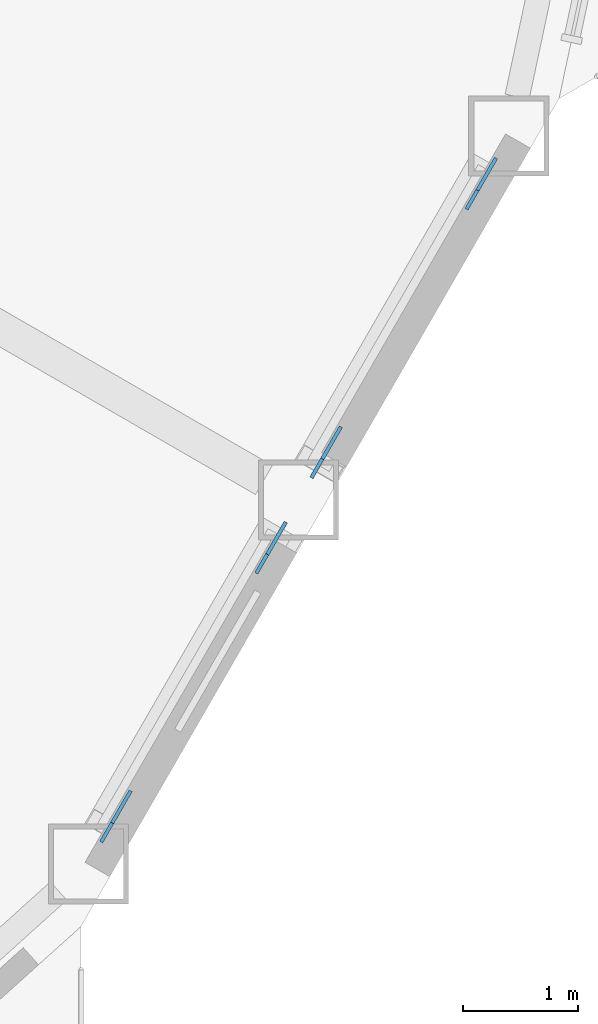
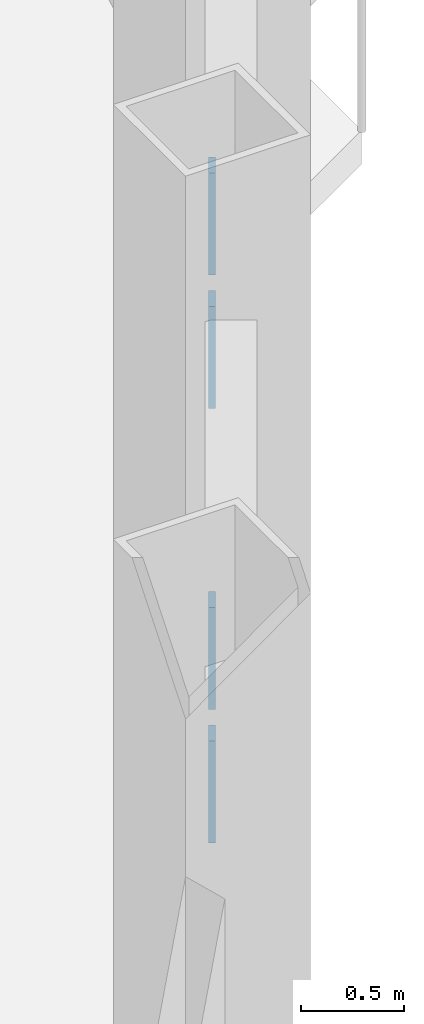
# One storey, part 17 of 23: 4 discrete accessories.
"""IFC4 building model written with IfcOpenShell, lengths in metres."""

from ifc_helpers import new_model, si_unit, direction, frame, origin, origin_2d, place, context, subcontext, project, spatial, rectangle, extrude, material, material_profile, profile_set, type_object, element, save


model = new_model("IFC4")

# Units and contexts
model_context = context("Model", 3, precision=1e-05, world=origin(), true_north=direction((0.0, 1.0)))
body_context = subcontext(model_context, "Body", "Model", "MODEL_VIEW")
ifc_project = project(units=[si_unit("LENGTHUNIT", "METRE"), si_unit("AREAUNIT", "SQUARE_METRE"), si_unit("VOLUMEUNIT", "CUBIC_METRE"), si_unit("PLANEANGLEUNIT", "RADIAN"), si_unit("MASSUNIT", "GRAM", prefix="KILO")], contexts=[model_context])

# Site, building, storey
site_placement = place(None, origin())
site = spatial("IfcSite", under=ifc_project, at=site_placement, CompositionType="ELEMENT")
building_placement = place(site_placement, origin())
building = spatial("IfcBuilding", under=site, at=building_placement, Name="Cormorant Prow Tower", CompositionType="ELEMENT")
storey_placement = place(building_placement, frame((0.0, 0.0, 249.0)))
storey = spatial("IfcBuildingStorey", under=building, at=storey_placement, Name="L55", CompositionType="ELEMENT", Elevation=249.0)

# Discrete accessories
ifc_material = material(Name="Structural steel ASTM A500 Gr C", Category="steel")
ifc_material_profile = material_profile(ifc_material, rectangle(XDim=0.031982421875, YDim=0.506103515625, at=origin_2d()), Name="Gusset plate 32x506")
ifc_profile_set = profile_set([ifc_material_profile], Name="Structural steel ASTM A500 Gr C")
discrete_accessory_type = type_object("IfcDiscreteAccessoryType", Name="Gusset plate 32x506", PredefinedType="BRACKET", material=ifc_profile_set)
discrete_accessory_1_placement = place(storey_placement, frame((27.454833984375, -16.59375, 0.863037109375), z_axis=(0.462538490196, 0.801593854051, -0.378821116405), x_axis=(-0.866147934042, 0.499787711288, 0.0)))
element("IfcDiscreteAccessory", 1, at=discrete_accessory_1_placement, inside=storey, type_object=discrete_accessory_type, Name="Gusset plate GP2 L55.ESE00.g0", PredefinedType="BRACKET", context=body_context, shape_type="SweptSolid", body=[
    extrude(rectangle(XDim=0.031982421875, YDim=0.506103515625, at=origin_2d()), origin(), (0.0, 0.0, 1.0), 0.349853515625),
])
discrete_accessory_2_placement = place(storey_placement, frame((26.262939453125, -18.658203125, 1.837890625), z_axis=(-0.462949952395, -0.801795851286, 0.37788987078), x_axis=(0.866010015463, -0.500026652407, 0.0)))
element("IfcDiscreteAccessory", 2, at=discrete_accessory_2_placement, inside=storey, type_object=discrete_accessory_type, Name="Gusset plate GP2 L55.ESE00.g1", PredefinedType="BRACKET", context=body_context, shape_type="SweptSolid", body=[
    extrude(rectangle(XDim=0.031982421875, YDim=0.506103515625, at=origin_2d()), origin(), (0.0, 0.0, 1.0), 0.35009765625),
])
discrete_accessory_3_placement = place(storey_placement, frame((29.2900390625, -13.4150390625, 0.863037109375), z_axis=(0.462538490196, 0.801593854051, -0.378821116405), x_axis=(-0.866147934042, 0.499787711288, 0.0)))
element("IfcDiscreteAccessory", 3, at=discrete_accessory_3_placement, inside=storey, type_object=discrete_accessory_type, Name="Gusset plate GP2 L55.ESE01.g0", PredefinedType="BRACKET", context=body_context, shape_type="SweptSolid", body=[
    extrude(rectangle(XDim=0.031982421875, YDim=0.506103515625, at=origin_2d()), origin(), (0.0, 0.0, 1.0), 0.349853515625),
])
discrete_accessory_4_placement = place(storey_placement, frame((28.09814453125, -15.4794921875, 1.837890625), z_axis=(-0.462949952395, -0.801795851286, 0.37788987078), x_axis=(0.866010015463, -0.500026652407, 0.0)))
element("IfcDiscreteAccessory", 4, at=discrete_accessory_4_placement, inside=storey, type_object=discrete_accessory_type, Name="Gusset plate GP2 L55.ESE01.g1", PredefinedType="BRACKET", context=body_context, shape_type="SweptSolid", body=[
    extrude(rectangle(XDim=0.031982421875, YDim=0.506103515625, at=origin_2d()), origin(), (0.0, 0.0, 1.0), 0.35009765625),
])

save(model, "model.ifc")
